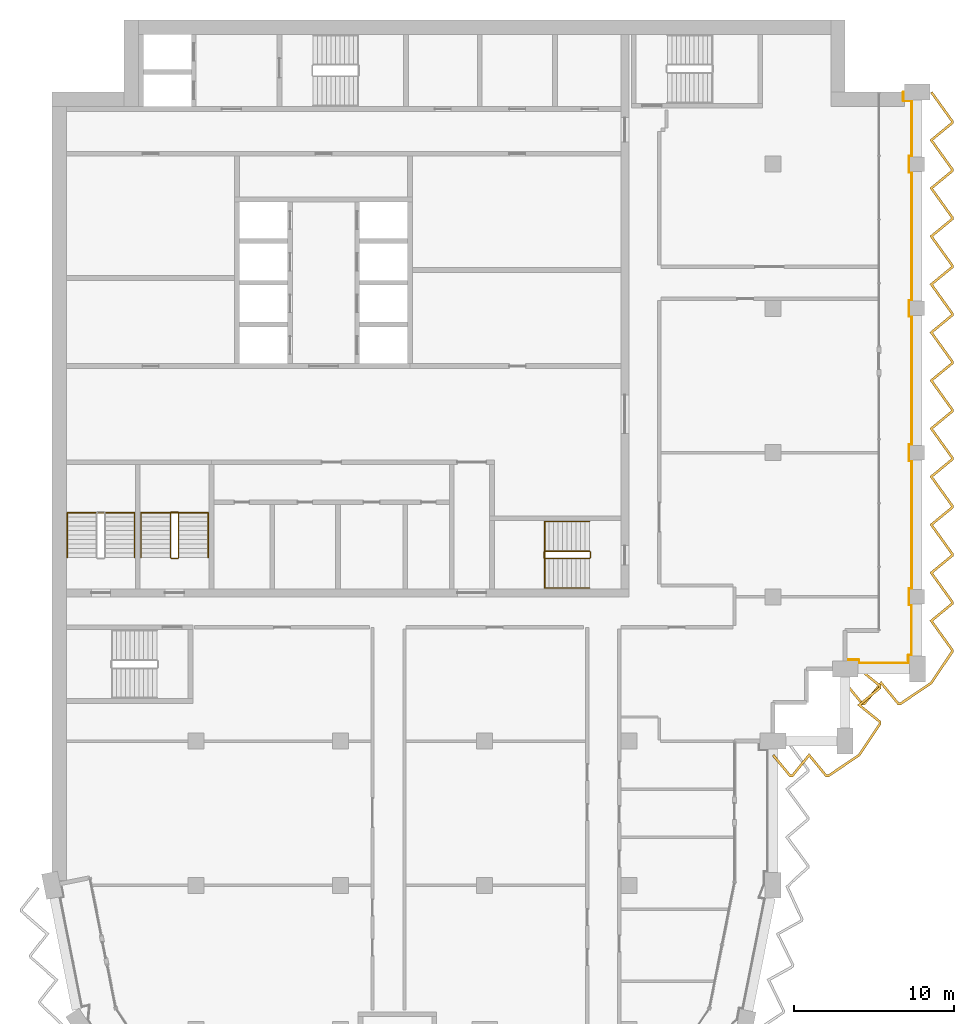
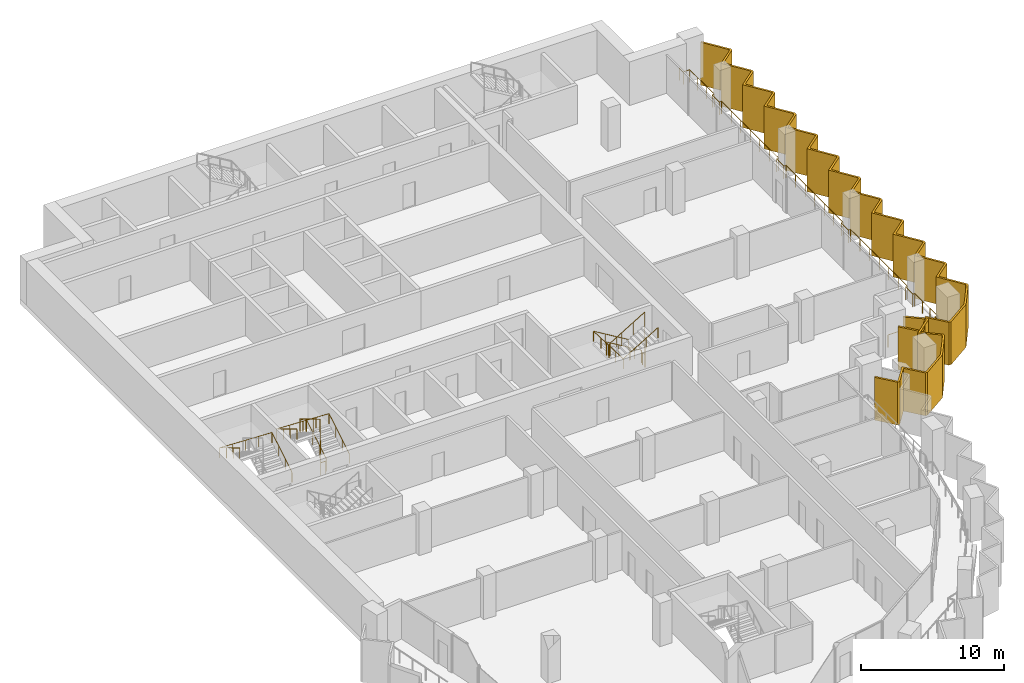
# One storey, part 15 of 16: 6 railings, 2 shading devices.
"""IFC4 building model written with IfcOpenShell, lengths in metres."""

from ifc_helpers import new_model, si_unit, direction, frame, origin, origin_2d, place, context, subcontext, project, spatial, polyline, circle, outline, extrude, material, layer, layer_set, type_object, element, save


model = new_model("IFC4")

# Units and contexts
model_context = context("Model", 3, precision=1e-05, world=origin(), true_north=direction((0.0, 1.0)))
body_context = subcontext(model_context, "Body", "Model", "MODEL_VIEW")
ifc_project = project(units=[si_unit("LENGTHUNIT", "METRE"), si_unit("AREAUNIT", "SQUARE_METRE"), si_unit("VOLUMEUNIT", "CUBIC_METRE"), si_unit("PLANEANGLEUNIT", "RADIAN"), si_unit("MASSUNIT", "GRAM", prefix="KILO")], contexts=[model_context])

# Site, building, storey
site_placement = place(None, origin())
site = spatial("IfcSite", under=ifc_project, at=site_placement, CompositionType="ELEMENT")
building_placement = place(site_placement, origin())
building = spatial("IfcBuilding", under=site, at=building_placement, Name="Hunhe Ridgeline Campus", CompositionType="ELEMENT")
storey_placement = place(building_placement, frame((0.0, 0.0, 254.0)))
storey = spatial("IfcBuildingStorey", under=building, at=storey_placement, Name="L65", CompositionType="ELEMENT", Elevation=254.0)

# Railing
ifc_material_1 = material(Name="Steel Q355", Category="steel")
railing_type_1 = type_object("IfcRailingType", Name="Loggia guard 1100 Steel Q355", PredefinedType="GUARDRAIL", material=ifc_material_1)
railing_1_placement = place(storey_placement, frame((49.5, 59.070068359375, 0.0)))
element("IfcRailing", 1, at=railing_1_placement, inside=storey, type_object=railing_type_1, Name="Loggia guard 2", PredefinedType="GUARDRAIL", context=body_context, shape_type="SweptSolid", body=[
    extrude(circle(Radius=0.02392578125, at=origin_2d()), frame((0.0, 0.0, 1.076171875), z_axis=(1.0, 0.0, 0.0), x_axis=(0.0, 1.0, 0.0)), (0.0, 0.0, 1.0), 0.85009765625),
    extrude(circle(Radius=0.02392578125, at=origin_2d()), frame((0.85009765625, 0.0, 1.076171875), z_axis=(0.0, -1.0, 0.0), x_axis=(1.0, 0.0, 0.0)), (0.0, 0.0, 1.0), 0.219970703125),
    extrude(circle(Radius=0.02392578125, at=origin_2d()), frame((0.85009765625, -0.219970703125, 1.076171875), z_axis=(1.0, 0.0, 0.0), x_axis=(0.0, 1.0, 0.0)), (0.0, 0.0, 1.0), 3.099853515625),
    extrude(circle(Radius=0.02392578125, at=origin_2d()), frame((3.949951171875, -0.219970703125, 1.076171875), z_axis=(0.0, 1.0, 0.0), x_axis=(-1.0, 0.0, 0.0)), (0.0, 0.0, 1.0), 0.52001953125),
    extrude(circle(Radius=0.02392578125, at=origin_2d()), frame((3.949951171875, 0.300048828125, 1.076171875), z_axis=(-0.066572895244, -0.99778156408, 0.0), x_axis=(0.99778156408, -0.066572895244, 0.0)), (0.0, 0.0, 1.0), 0.30078125),
    extrude(circle(Radius=0.02392578125, at=origin_2d()), frame((3.929931640625, 0.0, 1.076171875), z_axis=(0.0, 1.0, 0.0), x_axis=(-1.0, 0.0, 0.0)), (0.0, 0.0, 1.0), 0.280029296875),
    extrude(circle(Radius=0.02392578125, at=origin_2d()), frame((3.929931640625, 0.280029296875, 1.076171875), z_axis=(1.0, 0.0, 0.0), x_axis=(0.0, 1.0, 0.0)), (0.0, 0.0, 1.0), 0.219970703125),
    extrude(circle(Radius=0.02392578125, at=origin_2d()), frame((4.14990234375, 0.280029296875, 1.076171875), z_axis=(0.0, 1.0, 0.0), x_axis=(-1.0, 0.0, 0.0)), (0.0, 0.0, 1.0), 3.14990234375),
    extrude(circle(Radius=0.02392578125, at=origin_2d()), frame((4.14990234375, 3.429931640625, 1.076171875), z_axis=(-1.0, 0.0, 0.0), x_axis=(0.0, -1.0, 0.0)), (0.0, 0.0, 1.0), 0.169921875),
    extrude(circle(Radius=0.02392578125, at=origin_2d()), frame((3.97998046875, 3.429931640625, 1.076171875), z_axis=(0.0, 1.0, 0.0), x_axis=(-1.0, 0.0, 0.0)), (0.0, 0.0, 1.0), 1.0),
    extrude(circle(Radius=0.02392578125, at=origin_2d()), frame((3.97998046875, 4.429931640625, 1.076171875), z_axis=(1.0, 0.0, 0.0), x_axis=(0.0, 1.0, 0.0)), (0.0, 0.0, 1.0), 0.169921875),
    extrude(circle(Radius=0.02392578125, at=origin_2d()), frame((4.14990234375, 4.429931640625, 1.076171875), z_axis=(0.0, 1.0, 0.0), x_axis=(-1.0, 0.0, 0.0)), (0.0, 0.0, 1.0), 8.0),
    extrude(circle(Radius=0.02392578125, at=origin_2d()), frame((4.14990234375, 12.429931640625, 1.076171875), z_axis=(-1.0, 0.0, 0.0), x_axis=(0.0, -1.0, 0.0)), (0.0, 0.0, 1.0), 0.169921875),
    extrude(circle(Radius=0.02392578125, at=origin_2d()), frame((3.97998046875, 12.429931640625, 1.076171875), z_axis=(0.0, 1.0, 0.0), x_axis=(-1.0, 0.0, 0.0)), (0.0, 0.0, 1.0), 1.0),
    extrude(circle(Radius=0.02392578125, at=origin_2d()), frame((3.97998046875, 13.429931640625, 1.076171875), z_axis=(1.0, 0.0, 0.0), x_axis=(0.0, 1.0, 0.0)), (0.0, 0.0, 1.0), 0.169921875),
    extrude(circle(Radius=0.02392578125, at=origin_2d()), frame((4.14990234375, 13.429931640625, 1.076171875), z_axis=(0.0, 1.0, 0.0), x_axis=(-1.0, 0.0, 0.0)), (0.0, 0.0, 1.0), 8.0),
    extrude(circle(Radius=0.02392578125, at=origin_2d()), frame((4.14990234375, 21.429931640625, 1.076171875), z_axis=(-1.0, 0.0, 0.0), x_axis=(0.0, -1.0, 0.0)), (0.0, 0.0, 1.0), 0.169921875),
    extrude(circle(Radius=0.02392578125, at=origin_2d()), frame((3.97998046875, 21.429931640625, 1.076171875), z_axis=(0.0, 1.0, 0.0), x_axis=(-1.0, 0.0, 0.0)), (0.0, 0.0, 1.0), 1.0),
    extrude(circle(Radius=0.02392578125, at=origin_2d()), frame((3.97998046875, 22.429931640625, 1.076171875), z_axis=(1.0, 0.0, 0.0), x_axis=(0.0, 1.0, 0.0)), (0.0, 0.0, 1.0), 0.169921875),
    extrude(circle(Radius=0.02392578125, at=origin_2d()), frame((4.14990234375, 22.429931640625, 1.076171875), z_axis=(0.0, 1.0, 0.0), x_axis=(-1.0, 0.0, 0.0)), (0.0, 0.0, 1.0), 8.0),
    extrude(circle(Radius=0.02392578125, at=origin_2d()), frame((4.14990234375, 30.429931640625, 1.076171875), z_axis=(-1.0, 0.0, 0.0), x_axis=(0.0, -1.0, 0.0)), (0.0, 0.0, 1.0), 0.169921875),
    extrude(circle(Radius=0.02392578125, at=origin_2d()), frame((3.97998046875, 30.429931640625, 1.076171875), z_axis=(0.0, 1.0, 0.0), x_axis=(-1.0, 0.0, 0.0)), (0.0, 0.0, 1.0), 1.0),
    extrude(circle(Radius=0.02392578125, at=origin_2d()), frame((3.97998046875, 31.429931640625, 1.076171875), z_axis=(1.0, 0.0, 0.0), x_axis=(0.0, 1.0, 0.0)), (0.0, 0.0, 1.0), 0.169921875),
    extrude(circle(Radius=0.02392578125, at=origin_2d()), frame((4.14990234375, 31.429931640625, 1.076171875), z_axis=(0.0, 1.0, 0.0), x_axis=(-1.0, 0.0, 0.0)), (0.0, 0.0, 1.0), 3.449951171875),
    extrude(circle(Radius=0.02392578125, at=origin_2d()), frame((4.14990234375, 34.8798828125, 1.076171875), z_axis=(-1.0, 0.0, 0.0), x_axis=(0.0, -1.0, 0.0)), (0.0, 0.0, 1.0), 0.52001953125),
    extrude(circle(Radius=0.02392578125, at=origin_2d()), frame((3.6298828125, 34.8798828125, 1.076171875), z_axis=(0.0, 1.0, 0.0), x_axis=(-1.0, 0.0, 0.0)), (0.0, 0.0, 1.0), 0.550048828125),
    extrude(circle(Radius=0.02099609375, at=origin_2d()), origin(), (0.0, 0.0, 1.0), 1.052001953125),
    extrude(circle(Radius=0.02099609375, at=origin_2d()), frame((0.85009765625, 0.0, 0.0)), (0.0, 0.0, 1.0), 1.052001953125),
    extrude(circle(Radius=0.02099609375, at=origin_2d()), frame((0.85009765625, -0.219970703125, 0.0)), (0.0, 0.0, 1.0), 1.052001953125),
    extrude(circle(Radius=0.02099609375, at=origin_2d()), frame((1.88330078125, -0.219970703125, 0.0)), (0.0, 0.0, 1.0), 1.052001953125),
    extrude(circle(Radius=0.02099609375, at=origin_2d()), frame((2.916748046875, -0.219970703125, 0.0)), (0.0, 0.0, 1.0), 1.052001953125),
    extrude(circle(Radius=0.02099609375, at=origin_2d()), frame((3.949951171875, -0.219970703125, 0.0)), (0.0, 0.0, 1.0), 1.052001953125),
    extrude(circle(Radius=0.02099609375, at=origin_2d()), frame((3.949951171875, 0.300048828125, 0.0)), (0.0, 0.0, 1.0), 1.052001953125),
    extrude(circle(Radius=0.02099609375, at=origin_2d()), frame((3.929931640625, 0.0, 0.0)), (0.0, 0.0, 1.0), 1.052001953125),
    extrude(circle(Radius=0.02099609375, at=origin_2d()), frame((3.929931640625, 0.280029296875, 0.0)), (0.0, 0.0, 1.0), 1.052001953125),
    extrude(circle(Radius=0.02099609375, at=origin_2d()), frame((4.14990234375, 0.280029296875, 0.0)), (0.0, 0.0, 1.0), 1.052001953125),
    extrude(circle(Radius=0.02099609375, at=origin_2d()), frame((4.14990234375, 1.330078125, 0.0)), (0.0, 0.0, 1.0), 1.052001953125),
    extrude(circle(Radius=0.02099609375, at=origin_2d()), frame((4.14990234375, 2.3798828125, 0.0)), (0.0, 0.0, 1.0), 1.052001953125),
    extrude(circle(Radius=0.02099609375, at=origin_2d()), frame((4.14990234375, 3.429931640625, 0.0)), (0.0, 0.0, 1.0), 1.052001953125),
    extrude(circle(Radius=0.02099609375, at=origin_2d()), frame((3.97998046875, 3.429931640625, 0.0)), (0.0, 0.0, 1.0), 1.052001953125),
    extrude(circle(Radius=0.02099609375, at=origin_2d()), frame((3.97998046875, 4.429931640625, 0.0)), (0.0, 0.0, 1.0), 1.052001953125),
    extrude(circle(Radius=0.02099609375, at=origin_2d()), frame((4.14990234375, 4.429931640625, 0.0)), (0.0, 0.0, 1.0), 1.052001953125),
    extrude(circle(Radius=0.02099609375, at=origin_2d()), frame((4.14990234375, 5.76318359375, 0.0)), (0.0, 0.0, 1.0), 1.052001953125),
    extrude(circle(Radius=0.02099609375, at=origin_2d()), frame((4.14990234375, 7.0966796875, 0.0)), (0.0, 0.0, 1.0), 1.052001953125),
    extrude(circle(Radius=0.02099609375, at=origin_2d()), frame((4.14990234375, 8.429931640625, 0.0)), (0.0, 0.0, 1.0), 1.052001953125),
    extrude(circle(Radius=0.02099609375, at=origin_2d()), frame((4.14990234375, 9.76318359375, 0.0)), (0.0, 0.0, 1.0), 1.052001953125),
    extrude(circle(Radius=0.02099609375, at=origin_2d()), frame((4.14990234375, 11.0966796875, 0.0)), (0.0, 0.0, 1.0), 1.052001953125),
    extrude(circle(Radius=0.02099609375, at=origin_2d()), frame((4.14990234375, 12.429931640625, 0.0)), (0.0, 0.0, 1.0), 1.052001953125),
    extrude(circle(Radius=0.02099609375, at=origin_2d()), frame((3.97998046875, 12.429931640625, 0.0)), (0.0, 0.0, 1.0), 1.052001953125),
    extrude(circle(Radius=0.02099609375, at=origin_2d()), frame((3.97998046875, 13.429931640625, 0.0)), (0.0, 0.0, 1.0), 1.052001953125),
    extrude(circle(Radius=0.02099609375, at=origin_2d()), frame((4.14990234375, 13.429931640625, 0.0)), (0.0, 0.0, 1.0), 1.052001953125),
    extrude(circle(Radius=0.02099609375, at=origin_2d()), frame((4.14990234375, 14.76318359375, 0.0)), (0.0, 0.0, 1.0), 1.052001953125),
    extrude(circle(Radius=0.02099609375, at=origin_2d()), frame((4.14990234375, 16.0966796875, 0.0)), (0.0, 0.0, 1.0), 1.052001953125),
    extrude(circle(Radius=0.02099609375, at=origin_2d()), frame((4.14990234375, 17.429931640625, 0.0)), (0.0, 0.0, 1.0), 1.052001953125),
    extrude(circle(Radius=0.02099609375, at=origin_2d()), frame((4.14990234375, 18.76318359375, 0.0)), (0.0, 0.0, 1.0), 1.052001953125),
    extrude(circle(Radius=0.02099609375, at=origin_2d()), frame((4.14990234375, 20.0966796875, 0.0)), (0.0, 0.0, 1.0), 1.052001953125),
    extrude(circle(Radius=0.02099609375, at=origin_2d()), frame((4.14990234375, 21.429931640625, 0.0)), (0.0, 0.0, 1.0), 1.052001953125),
    extrude(circle(Radius=0.02099609375, at=origin_2d()), frame((3.97998046875, 21.429931640625, 0.0)), (0.0, 0.0, 1.0), 1.052001953125),
    extrude(circle(Radius=0.02099609375, at=origin_2d()), frame((3.97998046875, 22.429931640625, 0.0)), (0.0, 0.0, 1.0), 1.052001953125),
    extrude(circle(Radius=0.02099609375, at=origin_2d()), frame((4.14990234375, 22.429931640625, 0.0)), (0.0, 0.0, 1.0), 1.052001953125),
    extrude(circle(Radius=0.02099609375, at=origin_2d()), frame((4.14990234375, 23.76318359375, 0.0)), (0.0, 0.0, 1.0), 1.052001953125),
    extrude(circle(Radius=0.02099609375, at=origin_2d()), frame((4.14990234375, 25.0966796875, 0.0)), (0.0, 0.0, 1.0), 1.052001953125),
    extrude(circle(Radius=0.02099609375, at=origin_2d()), frame((4.14990234375, 26.429931640625, 0.0)), (0.0, 0.0, 1.0), 1.052001953125),
    extrude(circle(Radius=0.02099609375, at=origin_2d()), frame((4.14990234375, 27.76318359375, 0.0)), (0.0, 0.0, 1.0), 1.052001953125),
    extrude(circle(Radius=0.02099609375, at=origin_2d()), frame((4.14990234375, 29.0966796875, 0.0)), (0.0, 0.0, 1.0), 1.052001953125),
    extrude(circle(Radius=0.02099609375, at=origin_2d()), frame((4.14990234375, 30.429931640625, 0.0)), (0.0, 0.0, 1.0), 1.052001953125),
    extrude(circle(Radius=0.02099609375, at=origin_2d()), frame((3.97998046875, 30.429931640625, 0.0)), (0.0, 0.0, 1.0), 1.052001953125),
    extrude(circle(Radius=0.02099609375, at=origin_2d()), frame((3.97998046875, 31.429931640625, 0.0)), (0.0, 0.0, 1.0), 1.052001953125),
    extrude(circle(Radius=0.02099609375, at=origin_2d()), frame((4.14990234375, 31.429931640625, 0.0)), (0.0, 0.0, 1.0), 1.052001953125),
    extrude(circle(Radius=0.02099609375, at=origin_2d()), frame((4.14990234375, 32.579833984375, 0.0)), (0.0, 0.0, 1.0), 1.052001953125),
    extrude(circle(Radius=0.02099609375, at=origin_2d()), frame((4.14990234375, 33.72998046875, 0.0)), (0.0, 0.0, 1.0), 1.052001953125),
    extrude(circle(Radius=0.02099609375, at=origin_2d()), frame((4.14990234375, 34.8798828125, 0.0)), (0.0, 0.0, 1.0), 1.052001953125),
    extrude(circle(Radius=0.02099609375, at=origin_2d()), frame((3.6298828125, 34.8798828125, 0.0)), (0.0, 0.0, 1.0), 1.052001953125),
    extrude(circle(Radius=0.02099609375, at=origin_2d()), frame((3.6298828125, 35.429931640625, 0.0)), (0.0, 0.0, 1.0), 1.052001953125),
])

# Shading devices
ifc_material_2 = material(Name="Concrete C50", Category="concrete")
ifc_layer = layer(ifc_material_2, 0.14990234375)
ifc_layer_set = layer_set([ifc_layer], Name="Sawtooth concrete fin 150 Concrete C50")
shading_device_type = type_object("IfcShadingDeviceType", Name="Sawtooth concrete fin 150 Concrete C50", PredefinedType="USERDEFINED", material=ifc_layer_set)
shading_device_1_placement = place(storey_placement, frame((0.0, 0.0, -0.949951171875)))
element("IfcShadingDevice", 2, at=shading_device_1_placement, inside=storey, type_object=shading_device_type, Name="Concrete fin screen 2", ObjectType="FIN", PredefinedType="USERDEFINED", context=body_context, shape_type="SweptSolid", body=[
    extrude(outline(polyline([(45.057861328125, 53.1728515625), (44.942138671875, 53.0771484375), (46.037353515625, 51.75), (46.228271484375, 51.75), (47.25048828125, 53.006591796875), (48.287353515625, 51.75), (48.465576171875, 51.75), (50.42919921875, 53.071044921875), (51.75, 55.0498046875), (51.75, 55.228271484375), (50.493408203125, 56.25048828125), (51.75, 57.287353515625), (51.75, 57.478271484375), (50.42236328125, 58.55810546875), (50.32763671875, 58.44189453125), (51.60009765625, 57.406982421875), (51.60009765625, 57.35791015625), (50.256591796875, 56.24951171875), (51.60009765625, 55.156982421875), (51.60009765625, 55.09521484375), (50.32080078125, 53.178955078125), (48.419677734375, 51.89990234375), (48.35791015625, 51.89990234375), (47.24951171875, 53.243408203125), (46.156982421875, 51.89990234375), (46.10791015625, 51.89990234375), (45.057861328125, 53.1728515625)])), origin(), (0.0, 0.0, 1.0), 3.64990234375),
])
shading_device_2_placement = place(storey_placement, frame((0.0, 0.0, -0.949951171875)))
element("IfcShadingDevice", 3, at=shading_device_2_placement, inside=storey, type_object=shading_device_type, Name="Concrete fin screen 3", ObjectType="FIN", PredefinedType="USERDEFINED", context=body_context, shape_type="SweptSolid", body=[
    extrude(outline(polyline([(49.557861328125, 57.6728515625), (49.442138671875, 57.5771484375), (50.537353515625, 56.25), (50.728271484375, 56.25), (51.75048828125, 57.506591796875), (52.787353515625, 56.25), (52.965576171875, 56.25), (54.92919921875, 57.571044921875), (56.25, 59.5498046875), (56.25, 59.716796875), (54.976806640625, 61.48681640625), (56.25, 62.537353515625), (56.25, 62.716796875), (54.976806640625, 64.48681640625), (56.25, 65.537353515625), (56.25, 65.716796875), (54.976806640625, 67.48681640625), (56.25, 68.537353515625), (56.25, 68.716796875), (54.976806640625, 70.48681640625), (56.25, 71.537353515625), (56.25, 71.716796875), (54.976806640625, 73.48681640625), (56.25, 74.537353515625), (56.25, 74.716796875), (54.976806640625, 76.48681640625), (56.25, 77.537353515625), (56.25, 77.716796875), (54.976806640625, 79.48681640625), (56.25, 80.537353515625), (56.25, 80.716796875), (54.976806640625, 82.48681640625), (56.25, 83.537353515625), (56.25, 83.716796875), (54.976806640625, 85.48681640625), (56.25, 86.537353515625), (56.25, 86.716796875), (54.976806640625, 88.48681640625), (56.25, 89.537353515625), (56.25, 89.716796875), (54.976806640625, 91.48681640625), (56.25, 92.537353515625), (56.25, 92.716796875), (54.935791015625, 94.543701171875), (54.814208984375, 94.456298828125), (56.10009765625, 92.66845703125), (56.10009765625, 92.60791015625), (54.773193359375, 91.51318359375), (56.10009765625, 89.66845703125), (56.10009765625, 89.60791015625), (54.773193359375, 88.51318359375), (56.10009765625, 86.66845703125), (56.10009765625, 86.60791015625), (54.773193359375, 85.51318359375), (56.10009765625, 83.66845703125), (56.10009765625, 83.60791015625), (54.773193359375, 82.51318359375), (56.10009765625, 80.66845703125), (56.10009765625, 80.60791015625), (54.773193359375, 79.51318359375), (56.10009765625, 77.66845703125), (56.10009765625, 77.60791015625), (54.773193359375, 76.51318359375), (56.10009765625, 74.66845703125), (56.10009765625, 74.60791015625), (54.773193359375, 73.51318359375), (56.10009765625, 71.66845703125), (56.10009765625, 71.60791015625), (54.773193359375, 70.51318359375), (56.10009765625, 68.66845703125), (56.10009765625, 68.60791015625), (54.773193359375, 67.51318359375), (56.10009765625, 65.66845703125), (56.10009765625, 65.60791015625), (54.773193359375, 64.51318359375), (56.10009765625, 62.66845703125), (56.10009765625, 62.60791015625), (54.773193359375, 61.51318359375), (56.10009765625, 59.66845703125), (56.10009765625, 59.59521484375), (54.82080078125, 57.678955078125), (52.919677734375, 56.39990234375), (52.85791015625, 56.39990234375), (51.74951171875, 57.743408203125), (50.656982421875, 56.39990234375), (50.60791015625, 56.39990234375), (49.557861328125, 57.6728515625)])), origin(), (0.0, 0.0, 1.0), 3.64990234375),
])

# Railings
ifc_material_3 = material(Name="Stainless steel balustrade", Category="steel")
railing_type_2 = type_object("IfcRailingType", Name="Stair guard 1100 stainless", PredefinedType="GUARDRAIL", material=ifc_material_3)
railing_2_placement = place(storey_placement, frame((33.550048828125, 65.85009765625, 0.168212890625)))
element("IfcRailing", 4, at=railing_2_placement, inside=storey, type_object=railing_type_2, Name="L65 stair S2 guard", PredefinedType="GUARDRAIL", context=body_context, shape_type="SweptSolid", body=[
    extrude(circle(Radius=0.02392578125, at=origin_2d()), frame((0.0, 0.0, 1.076171875), z_axis=(-0.857242210791, 0.0, 0.514913383045), x_axis=(0.0, -1.0, 0.0)), (0.0, 0.0, 1.0), 3.266357421875),
    extrude(circle(Radius=0.02392578125, at=origin_2d()), frame((-2.800048828125, 0.0, 2.7578125), z_axis=(-0.707106781187, -0.707106781187, 0.0), x_axis=(0.707106781187, -0.707106781187, 0.0)), (0.0, 0.0, 1.0), 0.07080078125),
    extrude(circle(Radius=0.02392578125, at=origin_2d()), frame((-2.85009765625, -0.050048828125, 2.7578125), z_axis=(0.0, -1.0, 0.0), x_axis=(1.0, 0.0, 0.0)), (0.0, 0.0, 1.0), 0.35009765625),
    extrude(circle(Radius=0.02392578125, at=origin_2d()), frame((-2.85009765625, -0.400146484375, 2.7578125), z_axis=(0.274582412415, -0.274582412415, 0.921525364591), x_axis=(0.707106781187, 0.707106781187, 0.0)), (0.0, 0.0, 1.0), 0.182373046875),
    extrude(circle(Radius=0.02392578125, at=origin_2d()), frame((-2.800048828125, -0.4501953125, 2.92578125), z_axis=(0.857242210791, 0.0, 0.514913383045), x_axis=(0.0, 1.0, 0.0)), (0.0, 0.0, 1.0), 3.266357421875),
    extrude(circle(Radius=0.02392578125, at=origin_2d()), frame((0.0, -0.4501953125, 4.60791015625), z_axis=(0.013524414389, 0.013524414389, -0.999817073484), x_axis=(-0.707106781187, 0.707106781187, 0.0)), (0.0, 0.0, 1.0), 3.70068359375),
    extrude(circle(Radius=0.02392578125, at=origin_2d()), frame((0.050048828125, -0.400146484375, 0.90771484375), z_axis=(0.0, 1.0, 0.0), x_axis=(-1.0, 0.0, 0.0)), (0.0, 0.0, 1.0), 0.35009765625),
    extrude(circle(Radius=0.02099609375, at=origin_2d()), origin(), (0.0, 0.0, 1.0), 1.052001953125),
    extrude(circle(Radius=0.02099609375, at=origin_2d()), frame((-0.933349609375, 0.0, 0.560546875)), (0.0, 0.0, 1.0), 1.052001953125),
    extrude(circle(Radius=0.02099609375, at=origin_2d()), frame((-1.86669921875, 0.0, 1.121337890625)), (0.0, 0.0, 1.0), 1.052001953125),
    extrude(circle(Radius=0.02099609375, at=origin_2d()), frame((-2.800048828125, 0.0, 1.681884765625)), (0.0, 0.0, 1.0), 1.052001953125),
    extrude(circle(Radius=0.02099609375, at=origin_2d()), frame((-2.85009765625, -0.050048828125, 1.681884765625)), (0.0, 0.0, 1.0), 1.052001953125),
    extrude(circle(Radius=0.02099609375, at=origin_2d()), frame((-2.85009765625, -0.400146484375, 1.681884765625)), (0.0, 0.0, 1.0), 1.052001953125),
    extrude(circle(Radius=0.02099609375, at=origin_2d()), frame((-2.800048828125, -0.4501953125, 1.849853515625)), (0.0, 0.0, 1.0), 1.052001953125),
    extrude(circle(Radius=0.02099609375, at=origin_2d()), frame((-1.86669921875, -0.4501953125, 2.410400390625)), (0.0, 0.0, 1.0), 1.052001953125),
    extrude(circle(Radius=0.02099609375, at=origin_2d()), frame((-0.933349609375, -0.4501953125, 2.97119140625)), (0.0, 0.0, 1.0), 1.052001953125),
    extrude(circle(Radius=0.02099609375, at=origin_2d()), frame((0.0, -0.4501953125, 3.53173828125)), (0.0, 0.0, 1.0), 1.052001953125),
    extrude(circle(Radius=0.02099609375, at=origin_2d()), frame((0.012451171875, -0.437744140625, 2.606689453125)), (0.0, 0.0, 1.0), 1.052001953125),
    extrude(circle(Radius=0.02099609375, at=origin_2d()), frame((0.02490234375, -0.42529296875, 1.681640625)), (0.0, 0.0, 1.0), 1.052001953125),
    extrude(circle(Radius=0.02099609375, at=origin_2d()), frame((0.03759765625, -0.41259765625, 0.7568359375)), (0.0, 0.0, 1.0), 1.052001953125),
    extrude(circle(Radius=0.02099609375, at=origin_2d()), frame((0.050048828125, -0.400146484375, -0.168212890625)), (0.0, 0.0, 1.0), 1.052001953125),
    extrude(circle(Radius=0.02099609375, at=origin_2d()), frame((0.050048828125, -0.050048828125, -0.168212890625)), (0.0, 0.0, 1.0), 1.052001953125),
])
railing_3_placement = place(storey_placement, frame((7.89990234375, 65.449951171875, 0.168212890625)))
element("IfcRailing", 5, at=railing_3_placement, inside=storey, type_object=railing_type_2, Name="L65 stair S4 guard", PredefinedType="GUARDRAIL", context=body_context, shape_type="SweptSolid", body=[
    extrude(circle(Radius=0.02392578125, at=origin_2d()), frame((0.0, 0.0, 1.076171875), z_axis=(0.0, 0.857242210791, 0.514913383045), x_axis=(-1.0, 0.0, 0.0)), (0.0, 0.0, 1.0), 3.266357421875),
    extrude(circle(Radius=0.02392578125, at=origin_2d()), frame((0.0, 2.800048828125, 2.7578125), z_axis=(-0.705375805398, 0.708833529934, 0.0), x_axis=(-0.708833529934, -0.705375805398, 0.0)), (0.0, 0.0, 1.0), 0.070556640625),
    extrude(circle(Radius=0.02392578125, at=origin_2d()), frame((-0.0498046875, 2.85009765625, 2.7578125), z_axis=(-1.0, 0.0, 0.0), x_axis=(0.0, -1.0, 0.0)), (0.0, 0.0, 1.0), 0.400146484375),
    extrude(circle(Radius=0.02392578125, at=origin_2d()), frame((-0.449951171875, 2.85009765625, 2.7578125), z_axis=(-0.274582412415, -0.274582412415, 0.921525364591), x_axis=(0.707106781187, -0.707106781187, 0.0)), (0.0, 0.0, 1.0), 0.182373046875),
    extrude(circle(Radius=0.02392578125, at=origin_2d()), frame((-0.5, 2.800048828125, 2.92578125), z_axis=(0.0, -0.857242210791, 0.514913383045), x_axis=(1.0, 0.0, 0.0)), (0.0, 0.0, 1.0), 3.266357421875),
    extrude(circle(Radius=0.02392578125, at=origin_2d()), frame((-0.5, 0.0, 4.60791015625), z_axis=(0.013524414389, -0.013524414389, -0.999817073484), x_axis=(0.707106781187, 0.707106781187, 0.0)), (0.0, 0.0, 1.0), 3.70068359375),
    extrude(circle(Radius=0.02392578125, at=origin_2d()), frame((-0.449951171875, -0.050048828125, 0.90771484375), z_axis=(1.0, 0.0, 0.0), x_axis=(0.0, 1.0, 0.0)), (0.0, 0.0, 1.0), 0.400146484375),
    extrude(circle(Radius=0.02099609375, at=origin_2d()), origin(), (0.0, 0.0, 1.0), 1.052001953125),
    extrude(circle(Radius=0.02099609375, at=origin_2d()), frame((0.0, 0.933349609375, 0.560546875)), (0.0, 0.0, 1.0), 1.052001953125),
    extrude(circle(Radius=0.02099609375, at=origin_2d()), frame((0.0, 1.86669921875, 1.121337890625)), (0.0, 0.0, 1.0), 1.052001953125),
    extrude(circle(Radius=0.02099609375, at=origin_2d()), frame((0.0, 2.800048828125, 1.681884765625)), (0.0, 0.0, 1.0), 1.052001953125),
    extrude(circle(Radius=0.02099609375, at=origin_2d()), frame((-0.0498046875, 2.85009765625, 1.681884765625)), (0.0, 0.0, 1.0), 1.052001953125),
    extrude(circle(Radius=0.02099609375, at=origin_2d()), frame((-0.449951171875, 2.85009765625, 1.681884765625)), (0.0, 0.0, 1.0), 1.052001953125),
    extrude(circle(Radius=0.02099609375, at=origin_2d()), frame((-0.5, 2.800048828125, 1.849853515625)), (0.0, 0.0, 1.0), 1.052001953125),
    extrude(circle(Radius=0.02099609375, at=origin_2d()), frame((-0.5, 1.86669921875, 2.410400390625)), (0.0, 0.0, 1.0), 1.052001953125),
    extrude(circle(Radius=0.02099609375, at=origin_2d()), frame((-0.5, 0.933349609375, 2.97119140625)), (0.0, 0.0, 1.0), 1.052001953125),
    extrude(circle(Radius=0.02099609375, at=origin_2d()), frame((-0.5, 0.0, 3.53173828125)), (0.0, 0.0, 1.0), 1.052001953125),
    extrude(circle(Radius=0.02099609375, at=origin_2d()), frame((-0.487548828125, -0.012451171875, 2.606689453125)), (0.0, 0.0, 1.0), 1.052001953125),
    extrude(circle(Radius=0.02099609375, at=origin_2d()), frame((-0.47509765625, -0.02490234375, 1.681640625)), (0.0, 0.0, 1.0), 1.052001953125),
    extrude(circle(Radius=0.02099609375, at=origin_2d()), frame((-0.46240234375, -0.03759765625, 0.7568359375)), (0.0, 0.0, 1.0), 1.052001953125),
    extrude(circle(Radius=0.02099609375, at=origin_2d()), frame((-0.449951171875, -0.050048828125, -0.168212890625)), (0.0, 0.0, 1.0), 1.052001953125),
    extrude(circle(Radius=0.02099609375, at=origin_2d()), frame((-0.0498046875, -0.050048828125, -0.168212890625)), (0.0, 0.0, 1.0), 1.052001953125),
])
ifc_material_4 = material(Name="Stainless steel handrail", Category="steel")
railing_type_3 = type_object("IfcRailingType", Name="Stair handrail 900 stainless", PredefinedType="HANDRAIL", material=ifc_material_4)
railing_4_placement = place(storey_placement, frame((33.550048828125, 67.699951171875, 0.168212890625)))
element("IfcRailing", 6, at=railing_4_placement, inside=storey, type_object=railing_type_3, Name="L65 stair S2 handrail", PredefinedType="HANDRAIL", context=body_context, shape_type="SweptSolid", body=[
    extrude(circle(Radius=0.02392578125, at=origin_2d()), frame((0.0, 0.0, 0.8759765625), z_axis=(-0.857242210791, 0.0, 0.514913383045), x_axis=(0.0, -1.0, 0.0)), (0.0, 0.0, 1.0), 3.266357421875),
    extrude(circle(Radius=0.02392578125, at=origin_2d()), frame((-2.800048828125, 0.0, 2.5576171875), z_axis=(0.0, -0.999181878101, 0.040442236271), x_axis=(1.0, 0.0, 0.0)), (0.0, 0.0, 1.0), 4.1533203125),
    extrude(circle(Radius=0.02392578125, at=origin_2d()), frame((-2.800048828125, -4.14990234375, 2.7255859375), z_axis=(0.857242210791, 0.0, 0.514913383045), x_axis=(0.0, 1.0, 0.0)), (0.0, 0.0, 1.0), 3.266357421875),
    extrude(circle(Radius=0.02099609375, at=origin_2d()), origin(), (0.0, 0.0, 1.0), 0.851806640625),
    extrude(circle(Radius=0.02099609375, at=origin_2d()), frame((-0.933349609375, 0.0, 0.560546875)), (0.0, 0.0, 1.0), 0.851806640625),
    extrude(circle(Radius=0.02099609375, at=origin_2d()), frame((-1.86669921875, 0.0, 1.121337890625)), (0.0, 0.0, 1.0), 0.851806640625),
    extrude(circle(Radius=0.02099609375, at=origin_2d()), frame((-2.800048828125, 0.0, 1.681884765625)), (0.0, 0.0, 1.0), 0.851806640625),
    extrude(circle(Radius=0.02099609375, at=origin_2d()), frame((-2.800048828125, -1.03759765625, 1.723876953125)), (0.0, 0.0, 1.0), 0.851806640625),
    extrude(circle(Radius=0.02099609375, at=origin_2d()), frame((-2.800048828125, -2.074951171875, 1.765869140625)), (0.0, 0.0, 1.0), 0.851806640625),
    extrude(circle(Radius=0.02099609375, at=origin_2d()), frame((-2.800048828125, -3.1123046875, 1.807861328125)), (0.0, 0.0, 1.0), 0.851806640625),
    extrude(circle(Radius=0.02099609375, at=origin_2d()), frame((-2.800048828125, -4.14990234375, 1.849853515625)), (0.0, 0.0, 1.0), 0.851806640625),
    extrude(circle(Radius=0.02099609375, at=origin_2d()), frame((-1.86669921875, -4.14990234375, 2.410400390625)), (0.0, 0.0, 1.0), 0.851806640625),
    extrude(circle(Radius=0.02099609375, at=origin_2d()), frame((-0.933349609375, -4.14990234375, 2.97119140625)), (0.0, 0.0, 1.0), 0.851806640625),
    extrude(circle(Radius=0.02099609375, at=origin_2d()), frame((0.0, -4.14990234375, 3.53173828125)), (0.0, 0.0, 1.0), 0.851806640625),
])
railing_5_placement = place(storey_placement, frame((5.14990234375, 65.449951171875, 0.168212890625)))
element("IfcRailing", 7, at=railing_5_placement, inside=storey, type_object=railing_type_3, Name="L65 stair S3 handrail", PredefinedType="HANDRAIL", context=body_context, shape_type="SweptSolid", body=[
    extrude(circle(Radius=0.02392578125, at=origin_2d()), frame((0.0, 0.0, 0.8759765625), z_axis=(0.0, 0.857242210791, 0.514913383045), x_axis=(-1.0, 0.0, 0.0)), (0.0, 0.0, 1.0), 3.266357421875),
    extrude(circle(Radius=0.02392578125, at=origin_2d()), frame((0.0, 2.800048828125, 2.5576171875), z_axis=(-0.99920123705, 0.0, 0.039961079526), x_axis=(0.0, -1.0, 0.0)), (0.0, 0.0, 1.0), 4.203369140625),
    extrude(circle(Radius=0.02392578125, at=origin_2d()), frame((-4.199951171875, 2.800048828125, 2.7255859375), z_axis=(0.0, -0.857242210791, 0.514913383045), x_axis=(1.0, 0.0, 0.0)), (0.0, 0.0, 1.0), 3.266357421875),
    extrude(circle(Radius=0.02099609375, at=origin_2d()), origin(), (0.0, 0.0, 1.0), 0.851806640625),
    extrude(circle(Radius=0.02099609375, at=origin_2d()), frame((0.0, 0.933349609375, 0.560546875)), (0.0, 0.0, 1.0), 0.851806640625),
    extrude(circle(Radius=0.02099609375, at=origin_2d()), frame((0.0, 1.86669921875, 1.121337890625)), (0.0, 0.0, 1.0), 0.851806640625),
    extrude(circle(Radius=0.02099609375, at=origin_2d()), frame((0.0, 2.800048828125, 1.681884765625)), (0.0, 0.0, 1.0), 0.851806640625),
    extrude(circle(Radius=0.02099609375, at=origin_2d()), frame((-1.050048828125, 2.800048828125, 1.723876953125)), (0.0, 0.0, 1.0), 0.851806640625),
    extrude(circle(Radius=0.02099609375, at=origin_2d()), frame((-2.10009765625, 2.800048828125, 1.765869140625)), (0.0, 0.0, 1.0), 0.851806640625),
    extrude(circle(Radius=0.02099609375, at=origin_2d()), frame((-3.14990234375, 2.800048828125, 1.807861328125)), (0.0, 0.0, 1.0), 0.851806640625),
    extrude(circle(Radius=0.02099609375, at=origin_2d()), frame((-4.199951171875, 2.800048828125, 1.849853515625)), (0.0, 0.0, 1.0), 0.851806640625),
    extrude(circle(Radius=0.02099609375, at=origin_2d()), frame((-4.199951171875, 1.86669921875, 2.410400390625)), (0.0, 0.0, 1.0), 0.851806640625),
    extrude(circle(Radius=0.02099609375, at=origin_2d()), frame((-4.199951171875, 0.933349609375, 2.97119140625)), (0.0, 0.0, 1.0), 0.851806640625),
    extrude(circle(Radius=0.02099609375, at=origin_2d()), frame((-4.199951171875, 0.0, 3.53173828125)), (0.0, 0.0, 1.0), 0.851806640625),
])
railing_6_placement = place(storey_placement, frame((9.75, 65.449951171875, 0.168212890625)))
element("IfcRailing", 8, at=railing_6_placement, inside=storey, type_object=railing_type_3, Name="L65 stair S4 handrail", PredefinedType="HANDRAIL", context=body_context, shape_type="SweptSolid", body=[
    extrude(circle(Radius=0.02392578125, at=origin_2d()), frame((0.0, 0.0, 0.8759765625), z_axis=(0.0, 0.857242210791, 0.514913383045), x_axis=(-1.0, 0.0, 0.0)), (0.0, 0.0, 1.0), 3.266357421875),
    extrude(circle(Radius=0.02392578125, at=origin_2d()), frame((0.0, 2.800048828125, 2.5576171875), z_axis=(-0.99920123705, 0.0, 0.039961079526), x_axis=(0.0, -1.0, 0.0)), (0.0, 0.0, 1.0), 4.203369140625),
    extrude(circle(Radius=0.02392578125, at=origin_2d()), frame((-4.199951171875, 2.800048828125, 2.7255859375), z_axis=(0.0, -0.857242210791, 0.514913383045), x_axis=(1.0, 0.0, 0.0)), (0.0, 0.0, 1.0), 3.266357421875),
    extrude(circle(Radius=0.02099609375, at=origin_2d()), origin(), (0.0, 0.0, 1.0), 0.851806640625),
    extrude(circle(Radius=0.02099609375, at=origin_2d()), frame((0.0, 0.933349609375, 0.560546875)), (0.0, 0.0, 1.0), 0.851806640625),
    extrude(circle(Radius=0.02099609375, at=origin_2d()), frame((0.0, 1.86669921875, 1.121337890625)), (0.0, 0.0, 1.0), 0.851806640625),
    extrude(circle(Radius=0.02099609375, at=origin_2d()), frame((0.0, 2.800048828125, 1.681884765625)), (0.0, 0.0, 1.0), 0.851806640625),
    extrude(circle(Radius=0.02099609375, at=origin_2d()), frame((-1.050048828125, 2.800048828125, 1.723876953125)), (0.0, 0.0, 1.0), 0.851806640625),
    extrude(circle(Radius=0.02099609375, at=origin_2d()), frame((-2.10009765625, 2.800048828125, 1.765869140625)), (0.0, 0.0, 1.0), 0.851806640625),
    extrude(circle(Radius=0.02099609375, at=origin_2d()), frame((-3.14990234375, 2.800048828125, 1.807861328125)), (0.0, 0.0, 1.0), 0.851806640625),
    extrude(circle(Radius=0.02099609375, at=origin_2d()), frame((-4.199951171875, 2.800048828125, 1.849853515625)), (0.0, 0.0, 1.0), 0.851806640625),
    extrude(circle(Radius=0.02099609375, at=origin_2d()), frame((-4.199951171875, 1.86669921875, 2.410400390625)), (0.0, 0.0, 1.0), 0.851806640625),
    extrude(circle(Radius=0.02099609375, at=origin_2d()), frame((-4.199951171875, 0.933349609375, 2.97119140625)), (0.0, 0.0, 1.0), 0.851806640625),
    extrude(circle(Radius=0.02099609375, at=origin_2d()), frame((-4.199951171875, 0.0, 3.53173828125)), (0.0, 0.0, 1.0), 0.851806640625),
])

save(model, "model.ifc")
